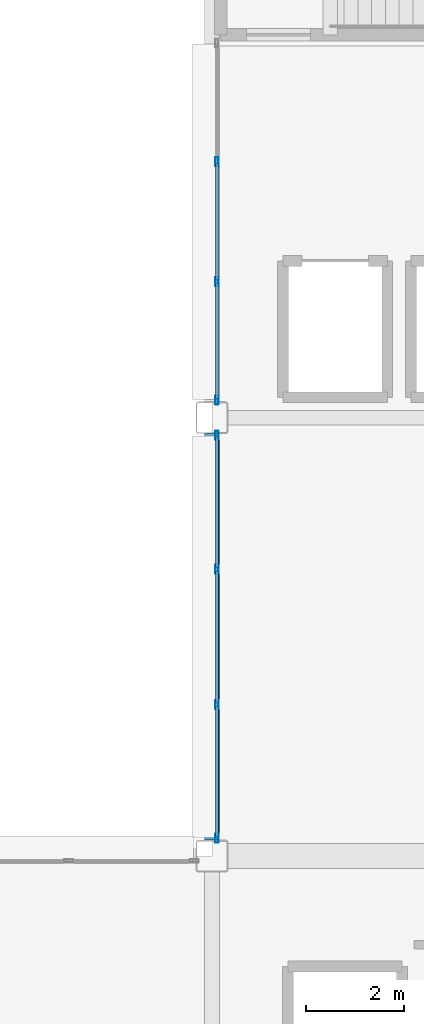
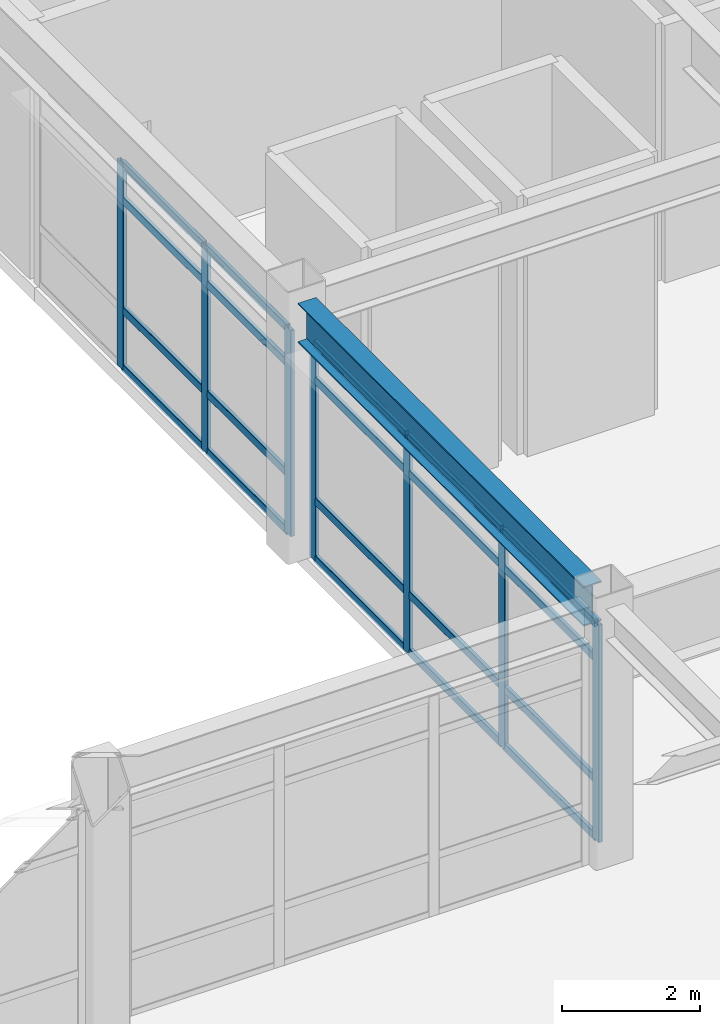
# One storey, part 56 of 93: 27 members, 1 beam, 2 elements without a shape of their own.
"""IFC4 building model written with IfcOpenShell, lengths in metres."""

from ifc_helpers import new_model, si_unit, direction, frame, origin, origin_2d, place, context, subcontext, project, spatial, hollow_rectangle, i_section, extrude, material, layer, layer_set, material_profile, profile_set, type_object, element, aggregate, save


model = new_model("IFC4")

# Units and contexts
model_context = context("Model", 3, precision=1e-05, world=origin(), true_north=direction((0.0, 1.0)))
body_context = subcontext(model_context, "Body", "Model", "MODEL_VIEW")
ifc_project = project(units=[si_unit("LENGTHUNIT", "METRE"), si_unit("AREAUNIT", "SQUARE_METRE"), si_unit("VOLUMEUNIT", "CUBIC_METRE"), si_unit("PLANEANGLEUNIT", "RADIAN"), si_unit("MASSUNIT", "GRAM", prefix="KILO")], contexts=[model_context])

# Site, building, storey
site_placement = place(None, origin())
site = spatial("IfcSite", under=ifc_project, at=site_placement, CompositionType="ELEMENT")
building_placement = place(site_placement, origin())
building = spatial("IfcBuilding", under=site, at=building_placement, Name="Kazehara Bluff Congress Hotel", CompositionType="ELEMENT")
storey_placement = place(building_placement, frame((0.0, 0.0, 15.0)))
storey = spatial("IfcBuildingStorey", under=building, at=storey_placement, Name="L03", CompositionType="ELEMENT", Elevation=15.0)

# Curtain wall, members
ifc_material_1 = material(Name="Anodised aluminium", Category="aluminium")
ifc_layer_1 = layer(ifc_material_1, 0.159912109375)
ifc_layer_set_1 = layer_set([ifc_layer_1], Name="Anodised aluminium")
curtain_wall_type_1 = type_object("IfcCurtainWallType", Name="TP-CW-148", PredefinedType="NOTDEFINED", material=ifc_layer_set_1)
curtain_wall_1_placement = place(storey_placement, origin())
curtain_wall_1 = element("IfcCurtainWall", 1, at=curtain_wall_1_placement, inside=storey, type_object=curtain_wall_type_1, Name="L03 curtain wall CW-148 CW-ENC-V5-L03-14380-3645", PredefinedType="NOTDEFINED")
ifc_material_2 = material(Name="Anodised aluminium", Category="aluminium")
ifc_material_profile_1 = material_profile(ifc_material_2, hollow_rectangle(XDim=0.06494140625, YDim=0.179931640625, WallThickness=0.00390625, InnerFilletRadius=0.00390625, OuterFilletRadius=0.008056640625, at=origin_2d()))
ifc_profile_set_1 = profile_set([ifc_material_profile_1], Name="Anodised aluminium")
member_type_1 = type_object("IfcMemberType", Name="TP-CWM-02", PredefinedType="MULLION", material=ifc_profile_set_1)
member_1_placement = place(storey_placement, frame((143.800048828125, 32.357421875, 0.0), z_axis=(0.0, 0.0, 1.0), x_axis=(-1.0, 0.0, 0.0)))
member_1 = element("IfcMember", 2, at=member_1_placement, type_object=member_type_1, Name="CW-148 mullion 1", PredefinedType="MULLION", context=body_context, shape_type="SweptSolid", body=[
    extrude(hollow_rectangle(XDim=0.06494140625, YDim=0.179931640625, WallThickness=0.00390625, InnerFilletRadius=0.00390625, OuterFilletRadius=0.008056640625, at=origin_2d()), origin(), (0.0, 0.0, 1.0), 3.8349609375),
])
member_2_placement = place(storey_placement, frame((143.800048828125, 35.074951171875, 0.0), z_axis=(0.0, 0.0, 1.0), x_axis=(-1.0, 0.0, 0.0)))
member_2 = element("IfcMember", 3, at=member_2_placement, type_object=member_type_1, Name="CW-148 mullion 2", PredefinedType="MULLION", context=body_context, shape_type="SweptSolid", body=[
    extrude(hollow_rectangle(XDim=0.06494140625, YDim=0.179931640625, WallThickness=0.00390625, InnerFilletRadius=0.00390625, OuterFilletRadius=0.008056640625, at=origin_2d()), origin(), (0.0, 0.0, 1.0), 3.8349609375),
])
member_3_placement = place(storey_placement, frame((143.800048828125, 37.824951171875, 0.0), z_axis=(0.0, 0.0, 1.0), x_axis=(-1.0, 0.0, 0.0)))
member_3 = element("IfcMember", 4, at=member_3_placement, type_object=member_type_1, Name="CW-148 mullion 3", PredefinedType="MULLION", context=body_context, shape_type="SweptSolid", body=[
    extrude(hollow_rectangle(XDim=0.06494140625, YDim=0.179931640625, WallThickness=0.00390625, InnerFilletRadius=0.00390625, OuterFilletRadius=0.008056640625, at=origin_2d()), origin(), (0.0, 0.0, 1.0), 3.8349609375),
])
member_4_placement = place(storey_placement, frame((143.800048828125, 40.54248046875, 0.0), z_axis=(0.0, 0.0, 1.0), x_axis=(-1.0, 0.0, 0.0)))
member_4 = element("IfcMember", 5, at=member_4_placement, type_object=member_type_1, Name="CW-148 mullion 4", PredefinedType="MULLION", context=body_context, shape_type="SweptSolid", body=[
    extrude(hollow_rectangle(XDim=0.06494140625, YDim=0.179931640625, WallThickness=0.00390625, InnerFilletRadius=0.00390625, OuterFilletRadius=0.008056640625, at=origin_2d()), origin(), (0.0, 0.0, 1.0), 3.8349609375),
])

ifc_material_3 = material(Name="Anodised aluminium", Category="aluminium")
ifc_layer_2 = layer(ifc_material_3, 0.159912109375)
ifc_layer_set_2 = layer_set([ifc_layer_2], Name="Anodised aluminium")
curtain_wall_type_2 = type_object("IfcCurtainWallType", Name="TP-CW-149", PredefinedType="NOTDEFINED", material=ifc_layer_set_2)
curtain_wall_2_placement = place(storey_placement, origin())
curtain_wall_2 = element("IfcCurtainWall", 6, at=curtain_wall_2_placement, inside=storey, type_object=curtain_wall_type_2, Name="L03 curtain wall CW-149 CW-ENC-V5-L03-14380-4488", PredefinedType="NOTDEFINED")
member_5_placement = place(storey_placement, frame((143.800048828125, 41.257568359375, 0.0), z_axis=(0.0, 0.0, 1.0), x_axis=(-1.0, 0.0, 0.0)))
member_5 = element("IfcMember", 7, at=member_5_placement, type_object=member_type_1, Name="CW-149 mullion 1", PredefinedType="MULLION", context=body_context, shape_type="SweptSolid", body=[
    extrude(hollow_rectangle(XDim=0.06494140625, YDim=0.179931640625, WallThickness=0.00390625, InnerFilletRadius=0.00390625, OuterFilletRadius=0.008056640625, at=origin_2d()), origin(), (0.0, 0.0, 1.0), 3.635009765625),
])
member_6_placement = place(storey_placement, frame((143.800048828125, 43.663330078125, 0.0), z_axis=(0.0, 0.0, 1.0), x_axis=(-1.0, 0.0, 0.0)))
member_6 = element("IfcMember", 8, at=member_6_placement, type_object=member_type_1, Name="CW-149 mullion 2", PredefinedType="MULLION", context=body_context, shape_type="SweptSolid", body=[
    extrude(hollow_rectangle(XDim=0.06494140625, YDim=0.179931640625, WallThickness=0.00390625, InnerFilletRadius=0.00390625, OuterFilletRadius=0.008056640625, at=origin_2d()), origin(), (0.0, 0.0, 1.0), 3.635009765625),
])
member_7_placement = place(storey_placement, frame((143.800048828125, 46.1015625, 0.0), z_axis=(0.0, 0.0, 1.0), x_axis=(-1.0, 0.0, 0.0)))
member_7 = element("IfcMember", 9, at=member_7_placement, type_object=member_type_1, Name="CW-149 mullion 3", PredefinedType="MULLION", context=body_context, shape_type="SweptSolid", body=[
    extrude(hollow_rectangle(XDim=0.06494140625, YDim=0.179931640625, WallThickness=0.00390625, InnerFilletRadius=0.00390625, OuterFilletRadius=0.008056640625, at=origin_2d()), origin(), (0.0, 0.0, 1.0), 3.635009765625),
])

# Member
ifc_material_4 = material(Name="Anodised aluminium", Category="aluminium")
ifc_material_profile_2 = material_profile(ifc_material_4, hollow_rectangle(XDim=0.06494140625, YDim=0.139892578125, WallThickness=0.00390625, InnerFilletRadius=0.00390625, OuterFilletRadius=0.008056640625, at=origin_2d()))
ifc_profile_set_2 = profile_set([ifc_material_profile_2], Name="Anodised aluminium")
member_type_2 = type_object("IfcMemberType", Name="TP-CWT-02", PredefinedType="USERDEFINED", material=ifc_profile_set_2)
member_8_placement = place(storey_placement, frame((143.800048828125, 32.389892578125, 0.032470703125), z_axis=(0.0, 1.0, 0.0), x_axis=(-1.0, 0.0, 0.0)))
member_8 = element("IfcMember", 10, at=member_8_placement, type_object=member_type_2, Name="CW-148 transom 1.1", ObjectType="TRANSOM", PredefinedType="USERDEFINED", context=body_context, shape_type="SweptSolid", body=[
    extrude(hollow_rectangle(XDim=0.06494140625, YDim=0.139892578125, WallThickness=0.00390625, InnerFilletRadius=0.00390625, OuterFilletRadius=0.008056640625, at=origin_2d()), origin(), (0.0, 0.0, 1.0), 2.652587890625),
])

member_9_placement = place(storey_placement, frame((143.800048828125, 32.389892578125, 1.050048828125), z_axis=(0.0, 1.0, 0.0), x_axis=(-1.0, 0.0, 0.0)))
member_9 = element("IfcMember", 11, at=member_9_placement, type_object=member_type_2, Name="CW-148 transom 1.2", ObjectType="TRANSOM", PredefinedType="USERDEFINED", context=body_context, shape_type="SweptSolid", body=[
    extrude(hollow_rectangle(XDim=0.06494140625, YDim=0.139892578125, WallThickness=0.00390625, InnerFilletRadius=0.00390625, OuterFilletRadius=0.008056640625, at=origin_2d()), origin(), (0.0, 0.0, 1.0), 2.652587890625),
])

member_10_placement = place(storey_placement, frame((143.800048828125, 32.389892578125, 3.18505859375), z_axis=(0.0, 1.0, 0.0), x_axis=(-1.0, 0.0, 0.0)))
member_10 = element("IfcMember", 12, at=member_10_placement, type_object=member_type_2, Name="CW-148 transom 1.3", ObjectType="TRANSOM", PredefinedType="USERDEFINED", context=body_context, shape_type="SweptSolid", body=[
    extrude(hollow_rectangle(XDim=0.06494140625, YDim=0.139892578125, WallThickness=0.00390625, InnerFilletRadius=0.00390625, OuterFilletRadius=0.008056640625, at=origin_2d()), origin(), (0.0, 0.0, 1.0), 2.652587890625),
])

member_11_placement = place(storey_placement, frame((143.800048828125, 32.389892578125, 3.802490234375), z_axis=(0.0, 1.0, 0.0), x_axis=(-1.0, 0.0, 0.0)))
member_11 = element("IfcMember", 13, at=member_11_placement, type_object=member_type_2, Name="CW-148 transom 1.4", ObjectType="TRANSOM", PredefinedType="USERDEFINED", context=body_context, shape_type="SweptSolid", body=[
    extrude(hollow_rectangle(XDim=0.06494140625, YDim=0.139892578125, WallThickness=0.00390625, InnerFilletRadius=0.00390625, OuterFilletRadius=0.008056640625, at=origin_2d()), origin(), (0.0, 0.0, 1.0), 2.652587890625),
])

member_12_placement = place(storey_placement, frame((143.800048828125, 35.107421875, 0.032470703125), z_axis=(0.0, 1.0, 0.0), x_axis=(-1.0, 0.0, 0.0)))
member_12 = element("IfcMember", 14, at=member_12_placement, type_object=member_type_2, Name="CW-148 transom 2.1", ObjectType="TRANSOM", PredefinedType="USERDEFINED", context=body_context, shape_type="SweptSolid", body=[
    extrude(hollow_rectangle(XDim=0.06494140625, YDim=0.139892578125, WallThickness=0.00390625, InnerFilletRadius=0.00390625, OuterFilletRadius=0.008056640625, at=origin_2d()), origin(), (0.0, 0.0, 1.0), 2.68505859375),
])

member_13_placement = place(storey_placement, frame((143.800048828125, 35.107421875, 1.050048828125), z_axis=(0.0, 1.0, 0.0), x_axis=(-1.0, 0.0, 0.0)))
member_13 = element("IfcMember", 15, at=member_13_placement, type_object=member_type_2, Name="CW-148 transom 2.2", ObjectType="TRANSOM", PredefinedType="USERDEFINED", context=body_context, shape_type="SweptSolid", body=[
    extrude(hollow_rectangle(XDim=0.06494140625, YDim=0.139892578125, WallThickness=0.00390625, InnerFilletRadius=0.00390625, OuterFilletRadius=0.008056640625, at=origin_2d()), origin(), (0.0, 0.0, 1.0), 2.68505859375),
])

member_14_placement = place(storey_placement, frame((143.800048828125, 35.107421875, 3.18505859375), z_axis=(0.0, 1.0, 0.0), x_axis=(-1.0, 0.0, 0.0)))
member_14 = element("IfcMember", 16, at=member_14_placement, type_object=member_type_2, Name="CW-148 transom 2.3", ObjectType="TRANSOM", PredefinedType="USERDEFINED", context=body_context, shape_type="SweptSolid", body=[
    extrude(hollow_rectangle(XDim=0.06494140625, YDim=0.139892578125, WallThickness=0.00390625, InnerFilletRadius=0.00390625, OuterFilletRadius=0.008056640625, at=origin_2d()), origin(), (0.0, 0.0, 1.0), 2.68505859375),
])

member_15_placement = place(storey_placement, frame((143.800048828125, 35.107421875, 3.802490234375), z_axis=(0.0, 1.0, 0.0), x_axis=(-1.0, 0.0, 0.0)))
member_15 = element("IfcMember", 17, at=member_15_placement, type_object=member_type_2, Name="CW-148 transom 2.4", ObjectType="TRANSOM", PredefinedType="USERDEFINED", context=body_context, shape_type="SweptSolid", body=[
    extrude(hollow_rectangle(XDim=0.06494140625, YDim=0.139892578125, WallThickness=0.00390625, InnerFilletRadius=0.00390625, OuterFilletRadius=0.008056640625, at=origin_2d()), origin(), (0.0, 0.0, 1.0), 2.68505859375),
])

member_16_placement = place(storey_placement, frame((143.800048828125, 37.857421875, 0.032470703125), z_axis=(0.0, 1.0, 0.0), x_axis=(-1.0, 0.0, 0.0)))
member_16 = element("IfcMember", 18, at=member_16_placement, type_object=member_type_2, Name="CW-148 transom 3.1", ObjectType="TRANSOM", PredefinedType="USERDEFINED", context=body_context, shape_type="SweptSolid", body=[
    extrude(hollow_rectangle(XDim=0.06494140625, YDim=0.139892578125, WallThickness=0.00390625, InnerFilletRadius=0.00390625, OuterFilletRadius=0.008056640625, at=origin_2d()), origin(), (0.0, 0.0, 1.0), 2.652587890625),
])

member_17_placement = place(storey_placement, frame((143.800048828125, 37.857421875, 1.050048828125), z_axis=(0.0, 1.0, 0.0), x_axis=(-1.0, 0.0, 0.0)))
member_17 = element("IfcMember", 19, at=member_17_placement, type_object=member_type_2, Name="CW-148 transom 3.2", ObjectType="TRANSOM", PredefinedType="USERDEFINED", context=body_context, shape_type="SweptSolid", body=[
    extrude(hollow_rectangle(XDim=0.06494140625, YDim=0.139892578125, WallThickness=0.00390625, InnerFilletRadius=0.00390625, OuterFilletRadius=0.008056640625, at=origin_2d()), origin(), (0.0, 0.0, 1.0), 2.652587890625),
])

member_18_placement = place(storey_placement, frame((143.800048828125, 37.857421875, 3.18505859375), z_axis=(0.0, 1.0, 0.0), x_axis=(-1.0, 0.0, 0.0)))
member_18 = element("IfcMember", 20, at=member_18_placement, type_object=member_type_2, Name="CW-148 transom 3.3", ObjectType="TRANSOM", PredefinedType="USERDEFINED", context=body_context, shape_type="SweptSolid", body=[
    extrude(hollow_rectangle(XDim=0.06494140625, YDim=0.139892578125, WallThickness=0.00390625, InnerFilletRadius=0.00390625, OuterFilletRadius=0.008056640625, at=origin_2d()), origin(), (0.0, 0.0, 1.0), 2.652587890625),
])

member_19_placement = place(storey_placement, frame((143.800048828125, 37.857421875, 3.802490234375), z_axis=(0.0, 1.0, 0.0), x_axis=(-1.0, 0.0, 0.0)))
member_19 = element("IfcMember", 21, at=member_19_placement, type_object=member_type_2, Name="CW-148 transom 3.4", ObjectType="TRANSOM", PredefinedType="USERDEFINED", context=body_context, shape_type="SweptSolid", body=[
    extrude(hollow_rectangle(XDim=0.06494140625, YDim=0.139892578125, WallThickness=0.00390625, InnerFilletRadius=0.00390625, OuterFilletRadius=0.008056640625, at=origin_2d()), origin(), (0.0, 0.0, 1.0), 2.652587890625),
])

aggregate(curtain_wall_1, [member_1, member_2, member_3, member_4, member_8, member_9, member_10, member_11, member_12, member_13, member_14, member_15, member_16, member_17, member_18, member_19])

member_20_placement = place(storey_placement, frame((143.800048828125, 41.2900390625, 0.032470703125), z_axis=(0.0, 1.0, 0.0), x_axis=(-1.0, 0.0, 0.0)))
member_20 = element("IfcMember", 22, at=member_20_placement, type_object=member_type_2, Name="CW-149 transom 1.1", ObjectType="TRANSOM", PredefinedType="USERDEFINED", context=body_context, shape_type="SweptSolid", body=[
    extrude(hollow_rectangle(XDim=0.06494140625, YDim=0.139892578125, WallThickness=0.00390625, InnerFilletRadius=0.00390625, OuterFilletRadius=0.008056640625, at=origin_2d()), origin(), (0.0, 0.0, 1.0), 2.3408203125),
])

member_21_placement = place(storey_placement, frame((143.800048828125, 41.2900390625, 1.050048828125), z_axis=(0.0, 1.0, 0.0), x_axis=(-1.0, 0.0, 0.0)))
member_21 = element("IfcMember", 23, at=member_21_placement, type_object=member_type_2, Name="CW-149 transom 1.2", ObjectType="TRANSOM", PredefinedType="USERDEFINED", context=body_context, shape_type="SweptSolid", body=[
    extrude(hollow_rectangle(XDim=0.06494140625, YDim=0.139892578125, WallThickness=0.00390625, InnerFilletRadius=0.00390625, OuterFilletRadius=0.008056640625, at=origin_2d()), origin(), (0.0, 0.0, 1.0), 2.3408203125),
])

member_22_placement = place(storey_placement, frame((143.800048828125, 41.2900390625, 2.985107421875), z_axis=(0.0, 1.0, 0.0), x_axis=(-1.0, 0.0, 0.0)))
member_22 = element("IfcMember", 24, at=member_22_placement, type_object=member_type_2, Name="CW-149 transom 1.3", ObjectType="TRANSOM", PredefinedType="USERDEFINED", context=body_context, shape_type="SweptSolid", body=[
    extrude(hollow_rectangle(XDim=0.06494140625, YDim=0.139892578125, WallThickness=0.00390625, InnerFilletRadius=0.00390625, OuterFilletRadius=0.008056640625, at=origin_2d()), origin(), (0.0, 0.0, 1.0), 2.3408203125),
])

member_23_placement = place(storey_placement, frame((143.800048828125, 41.2900390625, 3.6025390625), z_axis=(0.0, 1.0, 0.0), x_axis=(-1.0, 0.0, 0.0)))
member_23 = element("IfcMember", 25, at=member_23_placement, type_object=member_type_2, Name="CW-149 transom 1.4", ObjectType="TRANSOM", PredefinedType="USERDEFINED", context=body_context, shape_type="SweptSolid", body=[
    extrude(hollow_rectangle(XDim=0.06494140625, YDim=0.139892578125, WallThickness=0.00390625, InnerFilletRadius=0.00390625, OuterFilletRadius=0.008056640625, at=origin_2d()), origin(), (0.0, 0.0, 1.0), 2.3408203125),
])

member_24_placement = place(storey_placement, frame((143.800048828125, 43.69580078125, 0.032470703125), z_axis=(0.0, 1.0, 0.0), x_axis=(-1.0, 0.0, 0.0)))
member_24 = element("IfcMember", 26, at=member_24_placement, type_object=member_type_2, Name="CW-149 transom 2.1", ObjectType="TRANSOM", PredefinedType="USERDEFINED", context=body_context, shape_type="SweptSolid", body=[
    extrude(hollow_rectangle(XDim=0.06494140625, YDim=0.139892578125, WallThickness=0.00390625, InnerFilletRadius=0.00390625, OuterFilletRadius=0.008056640625, at=origin_2d()), origin(), (0.0, 0.0, 1.0), 2.373291015625),
])

member_25_placement = place(storey_placement, frame((143.800048828125, 43.69580078125, 1.050048828125), z_axis=(0.0, 1.0, 0.0), x_axis=(-1.0, 0.0, 0.0)))
member_25 = element("IfcMember", 27, at=member_25_placement, type_object=member_type_2, Name="CW-149 transom 2.2", ObjectType="TRANSOM", PredefinedType="USERDEFINED", context=body_context, shape_type="SweptSolid", body=[
    extrude(hollow_rectangle(XDim=0.06494140625, YDim=0.139892578125, WallThickness=0.00390625, InnerFilletRadius=0.00390625, OuterFilletRadius=0.008056640625, at=origin_2d()), origin(), (0.0, 0.0, 1.0), 2.373291015625),
])

member_26_placement = place(storey_placement, frame((143.800048828125, 43.69580078125, 2.985107421875), z_axis=(0.0, 1.0, 0.0), x_axis=(-1.0, 0.0, 0.0)))
member_26 = element("IfcMember", 28, at=member_26_placement, type_object=member_type_2, Name="CW-149 transom 2.3", ObjectType="TRANSOM", PredefinedType="USERDEFINED", context=body_context, shape_type="SweptSolid", body=[
    extrude(hollow_rectangle(XDim=0.06494140625, YDim=0.139892578125, WallThickness=0.00390625, InnerFilletRadius=0.00390625, OuterFilletRadius=0.008056640625, at=origin_2d()), origin(), (0.0, 0.0, 1.0), 2.373291015625),
])

member_27_placement = place(storey_placement, frame((143.800048828125, 43.69580078125, 3.6025390625), z_axis=(0.0, 1.0, 0.0), x_axis=(-1.0, 0.0, 0.0)))
member_27 = element("IfcMember", 29, at=member_27_placement, type_object=member_type_2, Name="CW-149 transom 2.4", ObjectType="TRANSOM", PredefinedType="USERDEFINED", context=body_context, shape_type="SweptSolid", body=[
    extrude(hollow_rectangle(XDim=0.06494140625, YDim=0.139892578125, WallThickness=0.00390625, InnerFilletRadius=0.00390625, OuterFilletRadius=0.008056640625, at=origin_2d()), origin(), (0.0, 0.0, 1.0), 2.373291015625),
])

aggregate(curtain_wall_2, [member_5, member_6, member_7, member_20, member_21, member_22, member_23, member_24, member_25, member_26, member_27])

# Beam
ifc_material_5 = material(Name="Steel SN490B", Category="steel")
ifc_material_profile_3 = material_profile(ifc_material_5, i_section(OverallWidth=0.300048828125, OverallDepth=0.699951171875, WebThickness=0.012939453125, FlangeThickness=0.02392578125, FilletRadius=0.01806640625, at=origin_2d()))
ifc_profile_set_3 = profile_set([ifc_material_profile_3], Name="Steel SN490B")
beam_type = type_object("IfcBeamType", Name="TP-SP-03", PredefinedType="SPANDREL", material=ifc_profile_set_3)
beam_placement = place(storey_placement, frame((143.699951171875, 32.324951171875, 4.2099609375), z_axis=(0.0, 1.0, 0.0), x_axis=(-1.0, 0.0, 0.0)))
element("IfcBeam", 30, at=beam_placement, inside=storey, type_object=beam_type, Name="L03 girder SP-03 113", PredefinedType="SPANDREL", context=body_context, shape_type="SweptSolid", body=[
    extrude(i_section(OverallWidth=0.300048828125, OverallDepth=0.699951171875, WebThickness=0.012939453125, FlangeThickness=0.02392578125, FilletRadius=0.01806640625, at=origin_2d()), origin(), (0.0, 0.0, 1.0), 8.25),
])

save(model, "model.ifc")
